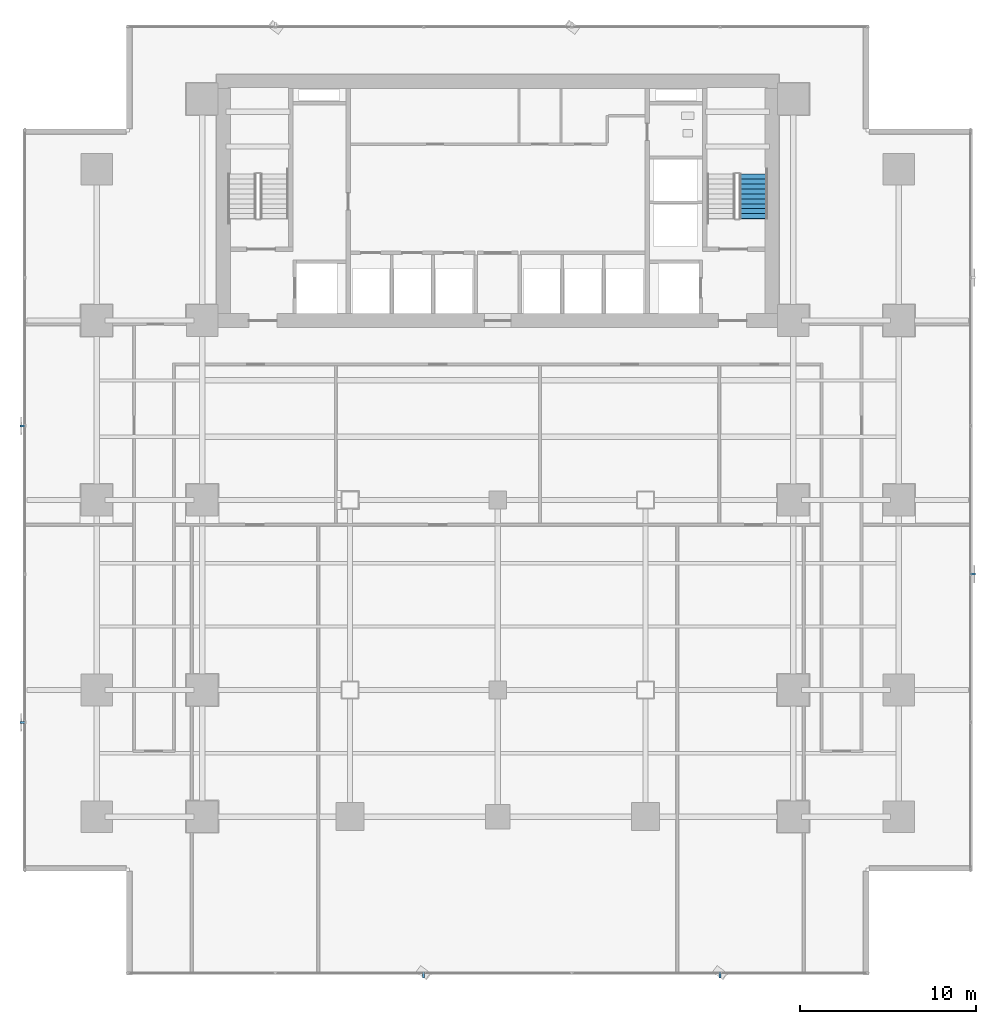
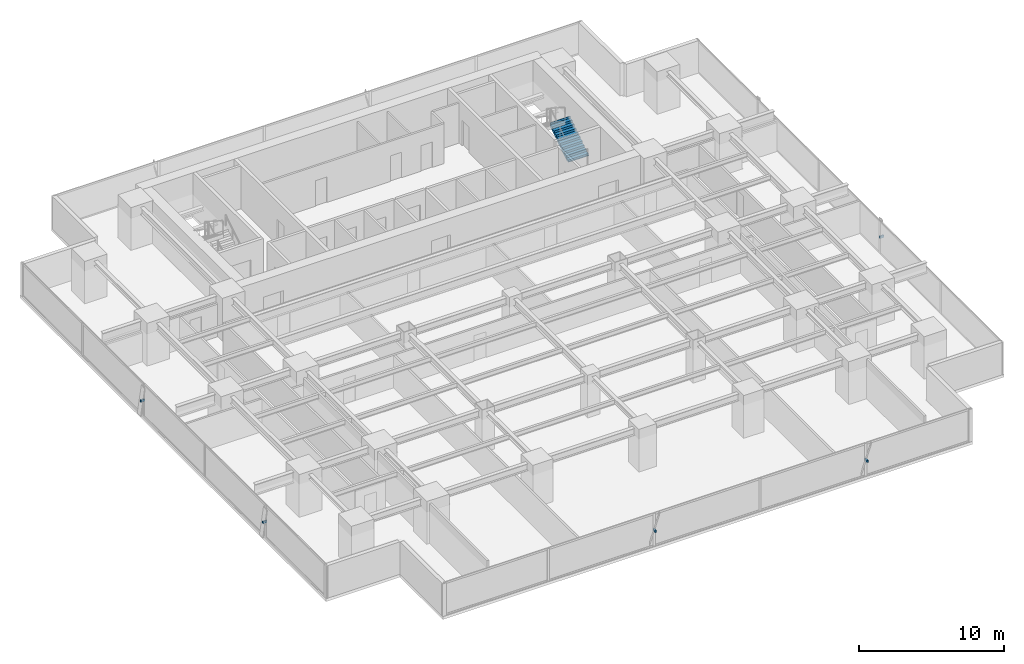
# One storey, part 26 of 32: 5 discrete accessories, 1 stair flight, 1 element without a shape of its own.
"""IFC4 building model written with IfcOpenShell, lengths in metres."""

from ifc_helpers import new_model, si_unit, direction, frame, origin, origin_2d, place, context, subcontext, project, spatial, polyline, rectangle, outline, extrude, source, transform, mapped, material, material_profile, profile_set, type_object, element, aggregate, save


model = new_model("IFC4")

# Units and contexts
model_context = context("Model", 3, precision=1e-05, world=origin(), true_north=direction((0.0, 1.0)))
body_context = subcontext(model_context, "Body", "Model", "MODEL_VIEW")
ifc_project = project(units=[si_unit("LENGTHUNIT", "METRE"), si_unit("AREAUNIT", "SQUARE_METRE"), si_unit("VOLUMEUNIT", "CUBIC_METRE"), si_unit("PLANEANGLEUNIT", "RADIAN"), si_unit("MASSUNIT", "GRAM", prefix="KILO")], contexts=[model_context])

# Site, building, storey
site_placement = place(None, origin())
site = spatial("IfcSite", under=ifc_project, at=site_placement, CompositionType="ELEMENT")
building_placement = place(site_placement, origin())
building = spatial("IfcBuilding", under=site, at=building_placement, Name="Sumidabori Civic Tower", CompositionType="ELEMENT")
storey_placement = place(building_placement, frame((0.0, 0.0, 48.800048828125)))
storey = spatial("IfcBuildingStorey", under=building, at=storey_placement, Name="L12", CompositionType="ELEMENT", Elevation=48.800048828125)

# Stair, stair flight
ifc_material_1 = material(Name="Concrete C40/50", Category="concrete")
stair_type = type_object("IfcStairType", Name="ST-CORE-1600", PredefinedType="HALF_TURN_STAIR", material=ifc_material_1)
stair_placement = place(storey_placement, origin())
stair = element("IfcStair", 1, at=stair_placement, inside=storey, type_object=stair_type, Name="L12 ST-2", PredefinedType="HALF_TURN_STAIR")
stair_flight_type = type_object("IfcStairFlightType", Name="SF-CORE-1600", PredefinedType="STRAIGHT", material=ifc_material_1)
shared_shape_1 = source(origin(), body_context, "Body", "SweptSolid", [
    extrude(outline(polyline([(-0.02490234375, 0.0), (-0.02490234375, 0.0400390625), (0.0, 0.0400390625), (0.0, 0.179931640625), (0.280029296875, 0.179931640625), (0.280029296875, 0.360107421875), (0.56005859375, 0.360107421875), (0.56005859375, 0.5400390625), (0.840087890625, 0.5400390625), (0.840087890625, 0.719970703125), (1.1201171875, 0.719970703125), (1.1201171875, 0.89990234375), (1.39990234375, 0.89990234375), (1.39990234375, 1.080078125), (1.679931640625, 1.080078125), (1.679931640625, 1.260009765625), (1.9599609375, 1.260009765625), (1.9599609375, 1.43994140625), (2.239990234375, 1.43994140625), (2.239990234375, 1.6201171875), (2.52001953125, 1.6201171875), (2.52001953125, 1.800048828125), (2.544921875, 1.800048828125), (2.544921875, 1.650146484375), (2.52001953125, 1.44189453125), (0.277099609375, 0.0), (-0.02490234375, 0.0)])), frame((0.0, 0.800048828125, 0.0), z_axis=(0.0, -1.0, 0.0), x_axis=(1.0, 0.0, 0.0)), (0.0, 0.0, 1.0), 1.60009765625),
])
stair_flight_placement = place(storey_placement, frame((14.5400390625, 16.0, 0.0), z_axis=(0.0, 0.0, 1.0), x_axis=(0.0, 1.0, 0.0)))
stair_flight = element("IfcStairFlight", 2, at=stair_flight_placement, type_object=stair_flight_type, Name="ST-2 flight 1", NumberOfRisers=10, NumberOfTreads=9, PredefinedType="STRAIGHT", RiserHeight=0.18, TreadLength=0.28, context=body_context, shape_type="MappedRepresentation", body=[
    mapped(shared_shape_1, transform((0.0, 0.0, 0.0), x_axis=(1.0, 0.0, 0.0), y_axis=(0.0, 1.0, 0.0), z_axis=(0.0, 0.0, 1.0), scale=1.0)),
])
aggregate(stair, [stair_flight])

# Discrete accessories
ifc_material_2 = material(Name="Stainless Steel Hairline Finish", Category="steel")
ifc_material_profile = material_profile(ifc_material_2, rectangle(XDim=0.1201171875, YDim=0.179931640625, at=origin_2d()), Name="STEEL BRACKET 180x120")
ifc_profile_set = profile_set([ifc_material_profile], Name="Stainless Steel Hairline Finish")
discrete_accessory_type = type_object("IfcDiscreteAccessoryType", Name="AC-BRK-180", PredefinedType="BRACKET", material=ifc_profile_set)
shared_shape_2 = source(origin(), body_context, "Body", "SweptSolid", [
    extrude(rectangle(XDim=0.1201171875, YDim=0.179931640625, at=origin_2d()), origin(), (0.0, 0.0, 1.0), 0.329833984375),
])
for number, where, z_axis, x_axis, name in (
    (3, (-4.214111328125, -26.830078125, 1.35986328125), (0.0, -1.0, 0.0), (1.0, 0.0, 0.0), "Bronze Fin Fixing Bracket L12-02"),
    (4, (12.64208984375, -26.830078125, 1.35986328125), (0.0, -1.0, 0.0), (1.0, 0.0, 0.0), "Bronze Fin Fixing Bracket L12-04"),
    (5, (26.830078125, -4.214111328125, 1.35986328125), (1.0, 0.0, 0.0), (0.0, 1.0, 0.0), "Bronze Fin Fixing Bracket L12-02"),
    (6, (-26.830078125, 4.214111328125, 1.35986328125), (-1.0, 0.0, 0.0), (0.0, -1.0, 0.0), "Bronze Fin Fixing Bracket L12-02"),
    (7, (-26.830078125, -12.64208984375, 1.35986328125), (-1.0, 0.0, 0.0), (0.0, -1.0, 0.0), "Bronze Fin Fixing Bracket L12-04"),
):
    element("IfcDiscreteAccessory", number, at=place(storey_placement, frame(where, z_axis=z_axis, x_axis=x_axis)), inside=storey, type_object=discrete_accessory_type, Name=name, PredefinedType="BRACKET", context=body_context, shape_type="MappedRepresentation", body=[
        mapped(shared_shape_2, transform((0.0, 0.0, 0.0), x_axis=(1.0, 0.0, 0.0), y_axis=(0.0, 1.0, 0.0), z_axis=(0.0, 0.0, 1.0), scale=1.0)),
    ])

save(model, "model.ifc")
